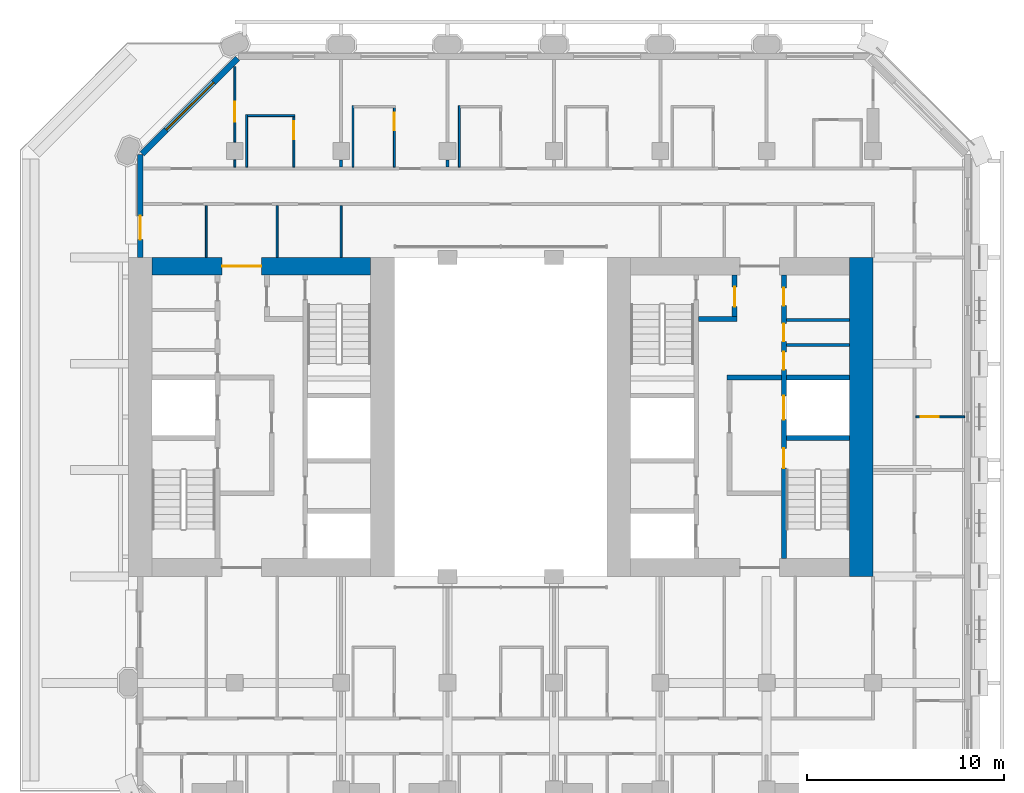
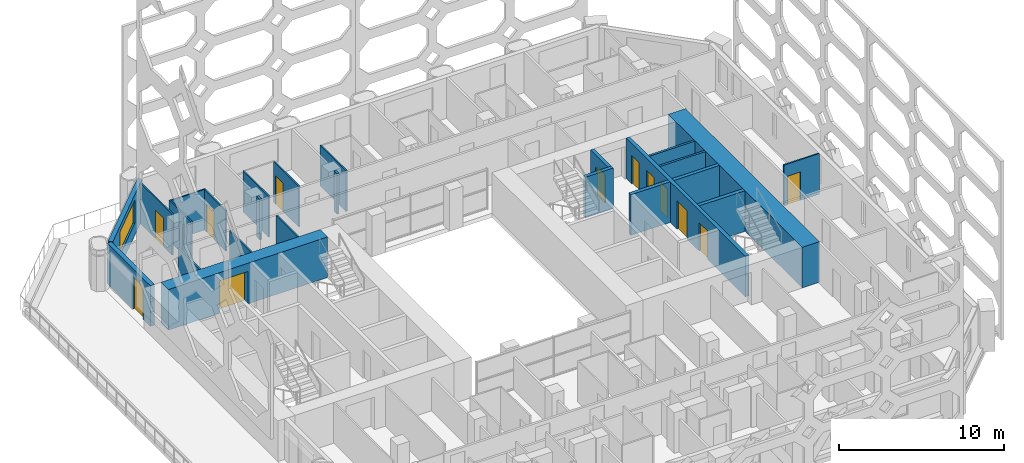
# One storey, part 10 of 16: 26 walls, 12 doors, 1 window, 13 openings.
"""IFC4 building model written with IfcOpenShell, lengths in metres."""

from ifc_helpers import new_model, si_unit, direction, frame, frame_2d, origin, place, context, subcontext, project, spatial, rectangle, extrude, material, layer, layer_set, type_object, element, fill, save


model = new_model("IFC4")

# Units and contexts
model_context = context("Model", 3, precision=1e-05, world=origin(), true_north=direction((0.0, 1.0)))
body_context = subcontext(model_context, "Body", "Model", "MODEL_VIEW")
ifc_project = project(units=[si_unit("LENGTHUNIT", "METRE"), si_unit("AREAUNIT", "SQUARE_METRE"), si_unit("VOLUMEUNIT", "CUBIC_METRE"), si_unit("PLANEANGLEUNIT", "RADIAN"), si_unit("MASSUNIT", "GRAM", prefix="KILO")], contexts=[model_context])

# Site, building, storey
site_placement = place(None, origin())
site = spatial("IfcSite", under=ifc_project, at=site_placement, CompositionType="ELEMENT")
building_placement = place(site_placement, origin())
building = spatial("IfcBuilding", under=site, at=building_placement, Name="Tabaq Tower and Sports Hall", CompositionType="ELEMENT")
storey_placement = place(building_placement, frame((0.0, 0.0, 152.800048828125)))
storey = spatial("IfcBuildingStorey", under=building, at=storey_placement, Name="L35", CompositionType="ELEMENT", Elevation=152.800048828125)

# Walls
ifc_material_1 = material(Name="Blockwork", Category="masonry")
ifc_layer_1 = layer(ifc_material_1, 0.14990234375)
ifc_layer_set_1 = layer_set([ifc_layer_1], Name="Core room partition 150 Blockwork")
wall_type_1 = type_object("IfcWallType", Name="Core room partition 150 Blockwork", PredefinedType="PARTITIONING", material=ifc_layer_set_1)
for number, where, z_axis, x_axis, name in (
    (1, (38.800048828125, 27.947998046875, 0.0), (0.0, 0.0, 1.0), (1.0, 0.0, 0.0), "Core room partition E L35"),
    (2, (38.800048828125, 29.217041015625, 0.0), (0.0, 0.0, 1.0), (1.0, 0.0, 0.0), "Core room partition E L35"),
):
    element("IfcWall", number, at=place(storey_placement, frame(where, z_axis=z_axis, x_axis=x_axis)), inside=storey, type_object=wall_type_1, Name=name, PredefinedType="PARTITIONING", context=body_context, shape_type="SweptSolid", body=[
        extrude(rectangle(XDim=3.199951171875, YDim=0.14990234375, at=frame_2d((1.60009765625, 0.0))), origin(), (0.0, 0.0, 1.0), 3.0),
    ])
ifc_material_2 = material(Name="Concrete C50/60", Category="concrete")
ifc_layer_2 = layer(ifc_material_2, 1.199951171875)
ifc_layer_set_2 = layer_set([ifc_layer_2], Name="Core wall 1200 Concrete C50/60")
wall_type_2 = type_object("IfcWallType", Name="Core wall 1200 Concrete C50/60", PredefinedType="SOLIDWALL", material=ifc_layer_set_2)
wall_1_placement = place(storey_placement, frame((42.60009765625, 32.39990234375, 0.0), z_axis=(0.0, 0.0, 1.0), x_axis=(0.0, -1.0, 0.0)))
element("IfcWall", 3, at=wall_1_placement, inside=storey, type_object=wall_type_2, Name="Core wall E L35", PredefinedType="SOLIDWALL", context=body_context, shape_type="SweptSolid", body=[
    extrude(rectangle(XDim=16.199951171875, YDim=1.199951171875, at=frame_2d((8.10009765625, 0.0))), origin(), (0.0, 0.0, 1.0), 3.0),
])

# Wall, opening, door
ifc_material_3 = material(Name="Concrete C50/60", Category="concrete")
ifc_layer_3 = layer(ifc_material_3, 0.89990234375)
ifc_layer_set_3 = layer_set([ifc_layer_3], Name="Core wall 900 Concrete C50/60")
wall_type_3 = type_object("IfcWallType", Name="Core wall 900 Concrete C50/60", PredefinedType="SOLIDWALL", material=ifc_layer_set_3)
wall_2_placement = place(storey_placement, frame((6.60009765625, 31.949951171875, 0.0), z_axis=(0.0, 0.0, 1.0), x_axis=(1.0, 0.0, 0.0)))
wall_2 = element("IfcWall", 4, at=wall_2_placement, inside=storey, type_object=wall_type_3, Name="Core wall W L35", PredefinedType="SOLIDWALL", context=body_context, shape_type="SweptSolid", body=[
    extrude(rectangle(XDim=11.099853515625, YDim=0.89990234375, at=frame_2d((5.5498046875, 0.0))), origin(), (0.0, 0.0, 1.0), 3.0),
])
opening_1_placement = place(wall_2_placement, frame((3.550048828125, 0.0, 0.0)))
opening_1 = element("IfcOpeningElement", 5, at=opening_1_placement, cuts=wall_2, Name="Opening PD-WL35-02", PredefinedType="OPENING", context=body_context, shape_type="SweptSolid", body=[
    extrude(rectangle(XDim=2.0, YDim=2.39990234375, at=frame_2d((1.0, 1.199951171875))), frame((0.0, 0.449951171875, 0.0), z_axis=(0.0, -1.0, 0.0), x_axis=(1.0, 0.0, 0.0)), (0.0, 0.0, 1.0), 0.89990234375),
])
ifc_material_4 = material(Name="Steel fire door", Category="steel")
door_type_1 = type_object("IfcDoorType", Name="Core entrance door 2000", OperationType="DOUBLE_DOOR_SINGLE_SWING", PredefinedType="DOOR", material=ifc_material_4)
door_1_placement = place(opening_1_placement, origin())
door_1 = element("IfcDoor", 6, at=door_1_placement, inside=storey, type_object=door_type_1, Name="Core entrance north W L35", OperationType="DOUBLE_DOOR_SINGLE_SWING", OverallHeight=2.39990234375, OverallWidth=2.0, PredefinedType="DOOR", context=body_context, shape_type="SweptSolid", body=[
    extrude(rectangle(XDim=2.0, YDim=2.39990234375, at=frame_2d((1.0, 1.199951171875))), frame((0.0, 0.02490234375, 0.0), z_axis=(0.0, -1.0, 0.0), x_axis=(1.0, 0.0, 0.0)), (0.0, 0.0, 1.0), 0.050048828125),
])
fill(opening_1, door_1)

ifc_material_5 = material(Name="Gypsum board on steel studs", Category="steel")
ifc_layer_4 = layer(ifc_material_5, 0.10009765625)
ifc_layer_set_4 = layer_set([ifc_layer_4], Name="Partition 100 Gypsum board")
wall_type_4 = type_object("IfcWallType", Name="Partition 100 Gypsum board", PredefinedType="PARTITIONING", material=ifc_layer_set_4)
wall_3_placement = place(storey_placement, frame((10.800048828125, 42.087890625, 0.0), z_axis=(0.0, 0.0, 1.0), x_axis=(0.0, -1.0, 0.0)))
wall_3 = element("IfcWall", 7, at=wall_3_placement, inside=storey, type_object=wall_type_4, Name="Partition wall L35", PredefinedType="PARTITIONING", context=body_context, shape_type="SweptSolid", body=[
    extrude(rectangle(XDim=3.8427734375, YDim=0.10009765625, at=frame_2d((1.92138671875, 0.0))), origin(), (0.0, 0.0, 1.0), 3.0),
])
opening_2_placement = place(wall_3_placement, frame((1.80029296875, 0.0, 0.0)))
opening_2 = element("IfcOpeningElement", 8, at=opening_2_placement, cuts=wall_3, Name="Opening L35-053", PredefinedType="OPENING", context=body_context, shape_type="SweptSolid", body=[
    extrude(rectangle(XDim=1.0, YDim=2.10009765625, at=frame_2d((0.5, 1.050048828125))), frame((0.0, 0.050048828125, 0.0), z_axis=(0.0, -1.0, 0.0), x_axis=(1.0, 0.0, 0.0)), (0.0, 0.0, 1.0), 0.10009765625),
])
ifc_material_6 = material(Name="Timber leaf in steel frame", Category="steel")
door_type_2 = type_object("IfcDoorType", Name="Internal door 1000 left hand", OperationType="SINGLE_SWING_LEFT", PredefinedType="DOOR", material=ifc_material_6)
door_2_placement = place(opening_2_placement, origin())
door_2 = element("IfcDoor", 9, at=door_2_placement, inside=storey, type_object=door_type_2, Name="Internal door L35-053", OperationType="SINGLE_SWING_LEFT", OverallHeight=2.10009765625, OverallWidth=1.0, PredefinedType="DOOR", context=body_context, shape_type="SweptSolid", body=[
    extrude(rectangle(XDim=1.0, YDim=2.10009765625, at=frame_2d((0.5, 1.050048828125))), frame((0.0, 0.02490234375, 0.0), z_axis=(0.0, -1.0, 0.0), x_axis=(1.0, 0.0, 0.0)), (0.0, 0.0, 1.0), 0.050048828125),
])
fill(opening_2, door_2)

# Walls
wall_4_placement = place(storey_placement, frame((10.800048828125, 37.35498046875, 0.0), z_axis=(0.0, 0.0, 1.0), x_axis=(0.0, -1.0, 0.0)))
element("IfcWall", 10, at=wall_4_placement, inside=storey, type_object=wall_type_4, Name="Partition wall L35", PredefinedType="PARTITIONING", context=body_context, shape_type="SweptSolid", body=[
    extrude(rectangle(XDim=0.3798828125, YDim=0.10009765625, at=frame_2d((0.18994140625, 0.0))), origin(), (0.0, 0.0, 1.0), 3.0),
])
wall_5_placement = place(storey_placement, frame((11.39990234375, 36.97509765625, 0.0), z_axis=(0.0, 0.0, 1.0), x_axis=(0.0, 1.0, 0.0)))
element("IfcWall", 11, at=wall_5_placement, inside=storey, type_object=wall_type_4, Name="Partition wall L35", PredefinedType="PARTITIONING", context=body_context, shape_type="SweptSolid", body=[
    extrude(rectangle(XDim=2.6748046875, YDim=0.10009765625, at=frame_2d((1.33740234375, 0.0))), origin(), (0.0, 0.0, 1.0), 3.0),
])
wall_6_placement = place(storey_placement, frame((11.449951171875, 39.60009765625, 0.0), z_axis=(0.0, 0.0, 1.0), x_axis=(1.0, 0.0, 0.0)))
element("IfcWall", 12, at=wall_6_placement, inside=storey, type_object=wall_type_4, Name="Partition wall L35", PredefinedType="PARTITIONING", context=body_context, shape_type="SweptSolid", body=[
    extrude(rectangle(XDim=2.400146484375, YDim=0.10009765625, at=frame_2d((1.2001953125, 0.0))), origin(), (0.0, 0.0, 1.0), 3.0),
])

# Wall, opening, door
wall_7_placement = place(storey_placement, frame((13.800048828125, 39.550048828125, 0.0), z_axis=(0.0, 0.0, 1.0), x_axis=(0.0, -1.0, 0.0)))
wall_7 = element("IfcWall", 13, at=wall_7_placement, inside=storey, type_object=wall_type_4, Name="Partition wall L35", PredefinedType="PARTITIONING", context=body_context, shape_type="SweptSolid", body=[
    extrude(rectangle(XDim=2.574951171875, YDim=0.10009765625, at=frame_2d((1.28759765625, 0.0))), origin(), (0.0, 0.0, 1.0), 3.0),
])
opening_3_placement = place(wall_7_placement, frame((0.25, 0.0, 0.0)))
opening_3 = element("IfcOpeningElement", 14, at=opening_3_placement, cuts=wall_7, Name="Opening L35-002", PredefinedType="OPENING", context=body_context, shape_type="SweptSolid", body=[
    extrude(rectangle(XDim=0.89990234375, YDim=2.10009765625, at=frame_2d((0.449951171875, 1.050048828125))), frame((0.0, 0.050048828125, 0.0), z_axis=(0.0, -1.0, 0.0), x_axis=(1.0, 0.0, 0.0)), (0.0, 0.0, 1.0), 0.10009765625),
])
ifc_material_7 = material(Name="Timber leaf in steel frame", Category="steel")
door_type_3 = type_object("IfcDoorType", Name="Internal door 900 left hand", OperationType="SINGLE_SWING_LEFT", PredefinedType="DOOR", material=ifc_material_7)
door_3_placement = place(opening_3_placement, origin())
door_3 = element("IfcDoor", 15, at=door_3_placement, inside=storey, type_object=door_type_3, Name="Internal door L35-002", OperationType="SINGLE_SWING_LEFT", OverallHeight=2.10009765625, OverallWidth=0.89990234375, PredefinedType="DOOR", context=body_context, shape_type="SweptSolid", body=[
    extrude(rectangle(XDim=0.89990234375, YDim=2.10009765625, at=frame_2d((0.449951171875, 1.050048828125))), frame((0.0, 0.02490234375, 0.0), z_axis=(0.0, -1.0, 0.0), x_axis=(1.0, 0.0, 0.0)), (0.0, 0.0, 1.0), 0.050048828125),
])
fill(opening_3, door_3)

# Wall
wall_8_placement = place(storey_placement, frame((16.800048828125, 36.97509765625, 0.0), z_axis=(0.0, 0.0, 1.0), x_axis=(0.0, 1.0, 0.0)))
element("IfcWall", 16, at=wall_8_placement, inside=storey, type_object=wall_type_4, Name="Partition wall L35", PredefinedType="PARTITIONING", context=body_context, shape_type="SweptSolid", body=[
    extrude(rectangle(XDim=3.125, YDim=0.10009765625, at=frame_2d((1.5625, 0.0))), origin(), (0.0, 0.0, 1.0), 3.0),
])

# Wall, opening, door
wall_9_placement = place(storey_placement, frame((18.89990234375, 40.0, 0.0), z_axis=(0.0, 0.0, 1.0), x_axis=(0.0, -1.0, 0.0)))
wall_9 = element("IfcWall", 17, at=wall_9_placement, inside=storey, type_object=wall_type_4, Name="Partition wall L35", PredefinedType="PARTITIONING", context=body_context, shape_type="SweptSolid", body=[
    extrude(rectangle(XDim=3.02490234375, YDim=0.10009765625, at=frame_2d((1.512451171875, 0.0))), origin(), (0.0, 0.0, 1.0), 3.0),
])
opening_4_placement = place(wall_9_placement, frame((0.25, 0.0, 0.0)))
opening_4 = element("IfcOpeningElement", 18, at=opening_4_placement, cuts=wall_9, Name="Opening L35-003", PredefinedType="OPENING", context=body_context, shape_type="SweptSolid", body=[
    extrude(rectangle(XDim=0.89990234375, YDim=2.10009765625, at=frame_2d((0.449951171875, 1.050048828125))), frame((0.0, 0.050048828125, 0.0), z_axis=(0.0, -1.0, 0.0), x_axis=(1.0, 0.0, 0.0)), (0.0, 0.0, 1.0), 0.10009765625),
])
door_4_placement = place(opening_4_placement, origin())
door_4 = element("IfcDoor", 19, at=door_4_placement, inside=storey, type_object=door_type_3, Name="Internal door L35-003", OperationType="SINGLE_SWING_LEFT", OverallHeight=2.10009765625, OverallWidth=0.89990234375, PredefinedType="DOOR", context=body_context, shape_type="SweptSolid", body=[
    extrude(rectangle(XDim=0.89990234375, YDim=2.10009765625, at=frame_2d((0.449951171875, 1.050048828125))), frame((0.0, 0.02490234375, 0.0), z_axis=(0.0, -1.0, 0.0), x_axis=(1.0, 0.0, 0.0)), (0.0, 0.0, 1.0), 0.050048828125),
])
fill(opening_4, door_4)

# Walls
wall_10_placement = place(storey_placement, frame((22.199951171875, 36.97509765625, 0.0), z_axis=(0.0, 0.0, 1.0), x_axis=(0.0, 1.0, 0.0)))
element("IfcWall", 20, at=wall_10_placement, inside=storey, type_object=wall_type_4, Name="Partition wall L35", PredefinedType="PARTITIONING", context=body_context, shape_type="SweptSolid", body=[
    extrude(rectangle(XDim=3.125, YDim=0.10009765625, at=frame_2d((1.5625, 0.0))), origin(), (0.0, 0.0, 1.0), 3.0),
])
wall_11_placement = place(storey_placement, frame((16.199951171875, 35.02490234375, 0.0), z_axis=(0.0, 0.0, 1.0), x_axis=(0.0, -1.0, 0.0)))
element("IfcWall", 21, at=wall_11_placement, inside=storey, type_object=wall_type_4, Name="Partition wall L35", PredefinedType="PARTITIONING", context=body_context, shape_type="SweptSolid", body=[
    extrude(rectangle(XDim=2.625, YDim=0.10009765625, at=frame_2d((1.3125, 0.0))), origin(), (0.0, 0.0, 1.0), 3.0),
])

# Wall, opening, door
wall_12_placement = place(storey_placement, frame((45.375, 24.300048828125, 0.0), z_axis=(0.0, 0.0, 1.0), x_axis=(1.0, 0.0, 0.0)))
wall_12 = element("IfcWall", 22, at=wall_12_placement, inside=storey, type_object=wall_type_4, Name="Partition wall L35", PredefinedType="PARTITIONING", context=body_context, shape_type="SweptSolid", body=[
    extrude(rectangle(XDim=2.47412109375, YDim=0.10009765625, at=frame_2d((1.237060546875, 0.0))), origin(), (0.0, 0.0, 1.0), 3.0),
])
opening_5_placement = place(wall_12_placement, frame((0.25, 0.0, 0.0)))
opening_5 = element("IfcOpeningElement", 23, at=opening_5_placement, cuts=wall_12, Name="Opening L35-009", PredefinedType="OPENING", context=body_context, shape_type="SweptSolid", body=[
    extrude(rectangle(XDim=0.89990234375, YDim=2.10009765625, at=frame_2d((0.449951171875, 1.050048828125))), frame((0.0, 0.050048828125, 0.0), z_axis=(0.0, -1.0, 0.0), x_axis=(1.0, 0.0, 0.0)), (0.0, 0.0, 1.0), 0.10009765625),
])
ifc_material_8 = material(Name="Timber leaf in steel frame", Category="steel")
door_type_4 = type_object("IfcDoorType", Name="Internal door 900 right hand", OperationType="SINGLE_SWING_RIGHT", PredefinedType="DOOR", material=ifc_material_8)
door_5_placement = place(opening_5_placement, origin())
door_5 = element("IfcDoor", 24, at=door_5_placement, inside=storey, type_object=door_type_4, Name="Internal door L35-009", OperationType="SINGLE_SWING_RIGHT", OverallHeight=2.10009765625, OverallWidth=0.89990234375, PredefinedType="DOOR", context=body_context, shape_type="SweptSolid", body=[
    extrude(rectangle(XDim=0.89990234375, YDim=2.10009765625, at=frame_2d((0.449951171875, 1.050048828125))), frame((0.0, 0.02490234375, 0.0), z_axis=(0.0, -1.0, 0.0), x_axis=(1.0, 0.0, 0.0)), (0.0, 0.0, 1.0), 0.050048828125),
])
fill(opening_5, door_5)

# Walls
for number, where, z_axis, x_axis, name in (
    (25, (12.949951171875, 32.39990234375, 0.0), (0.0, 0.0, 1.0), (0.0, 1.0, 0.0), "Partition wall L35"),
    (26, (9.35009765625, 35.02490234375, 0.0), (0.0, 0.0, 1.0), (0.0, -1.0, 0.0), "Partition wall L35"),
):
    element("IfcWall", number, at=place(storey_placement, frame(where, z_axis=z_axis, x_axis=x_axis)), inside=storey, type_object=wall_type_4, Name=name, PredefinedType="PARTITIONING", context=body_context, shape_type="SweptSolid", body=[
        extrude(rectangle(XDim=2.625, YDim=0.10009765625, at=frame_2d((1.3125, 0.0))), origin(), (0.0, 0.0, 1.0), 3.0),
    ])
ifc_material_9 = material(Name="Blockwork", Category="masonry")
ifc_layer_5 = layer(ifc_material_9, 0.14990234375)
ifc_layer_set_5 = layer_set([ifc_layer_5], Name="Separating wall 150 Blockwork")
wall_type_5 = type_object("IfcWallType", Name="Separating wall 150 Blockwork", PredefinedType="PARTITIONING", material=ifc_layer_set_5)
for number, where, z_axis, x_axis, name in (
    (27, (16.199951171875, 36.97509765625, 0.0), (0.0, 0.0, 1.0), (0.0, 1.0, 0.0), "Separating wall L35"),
    (28, (21.60009765625, 36.97509765625, 0.0), (0.0, 0.0, 1.0), (0.0, 1.0, 0.0), "Separating wall L35"),
):
    element("IfcWall", number, at=place(storey_placement, frame(where, z_axis=z_axis, x_axis=x_axis)), inside=storey, type_object=wall_type_5, Name=name, PredefinedType="PARTITIONING", context=body_context, shape_type="SweptSolid", body=[
        extrude(rectangle(XDim=0.3798828125, YDim=0.14990234375, at=frame_2d((0.18994140625, 0.0))), origin(), (0.0, 0.0, 1.0), 3.0),
    ])

# Wall, openings, doors
ifc_material_10 = material(Name="Concrete C40/50", Category="concrete")
ifc_layer_6 = layer(ifc_material_10, 0.25)
ifc_layer_set_6 = layer_set([ifc_layer_6], Name="Shaft and stair wall 250 Concrete C40/50")
wall_type_6 = type_object("IfcWallType", Name="Shaft and stair wall 250 Concrete C40/50", PredefinedType="SOLIDWALL", material=ifc_layer_set_6)
wall_13_placement = place(storey_placement, frame((38.675048828125, 17.10009765625, 0.0), z_axis=(0.0, 0.0, 1.0), x_axis=(0.0, 1.0, 0.0)))
wall_13 = element("IfcWall", 29, at=wall_13_placement, inside=storey, type_object=wall_type_6, Name="Shaft wall E L35", PredefinedType="SOLIDWALL", context=body_context, shape_type="SweptSolid", body=[
    extrude(rectangle(XDim=14.39990234375, YDim=0.25, at=frame_2d((7.199951171875, 0.0))), origin(), (0.0, 0.0, 1.0), 3.0),
])
opening_6_placement = place(wall_13_placement, frame((4.60009765625, 0.0, 0.0)))
opening_6 = element("IfcOpeningElement", 30, at=opening_6_placement, cuts=wall_13, Name="Opening SD-EL35-03", PredefinedType="OPENING", context=body_context, shape_type="SweptSolid", body=[
    extrude(rectangle(XDim=1.0, YDim=2.10009765625, at=frame_2d((0.5, 1.050048828125))), frame((0.0, 0.125, 0.0), z_axis=(0.0, -1.0, 0.0), x_axis=(1.0, 0.0, 0.0)), (0.0, 0.0, 1.0), 0.25),
])
opening_7_placement = place(wall_13_placement, frame((7.0625, 0.0, 0.0)))
opening_7 = element("IfcOpeningElement", 31, at=opening_7_placement, cuts=wall_13, Name="Opening LD-FF2-L35", PredefinedType="OPENING", context=body_context, shape_type="SweptSolid", body=[
    extrude(rectangle(XDim=1.199951171875, YDim=2.10009765625, at=frame_2d((0.60009765625, 1.050048828125))), frame((0.0, 0.125, 0.0), z_axis=(0.0, -1.0, 0.0), x_axis=(1.0, 0.0, 0.0)), (0.0, 0.0, 1.0), 0.25),
])
opening_8_placement = place(wall_13_placement, frame((9.59912109375, 0.0, 0.0)))
opening_8 = element("IfcOpeningElement", 32, at=opening_8_placement, cuts=wall_13, Name="Opening RD-EL35-09", PredefinedType="OPENING", context=body_context, shape_type="SweptSolid", body=[
    extrude(rectangle(XDim=0.89990234375, YDim=2.10009765625, at=frame_2d((0.449951171875, 1.050048828125))), frame((0.0, 0.125, 0.0), z_axis=(0.0, -1.0, 0.0), x_axis=(1.0, 0.0, 0.0)), (0.0, 0.0, 1.0), 0.25),
])
opening_9_placement = place(wall_13_placement, frame((11.032470703125, 0.0, 0.0)))
opening_9 = element("IfcOpeningElement", 33, at=opening_9_placement, cuts=wall_13, Name="Opening RD-EL35-10", PredefinedType="OPENING", context=body_context, shape_type="SweptSolid", body=[
    extrude(rectangle(XDim=0.89990234375, YDim=2.10009765625, at=frame_2d((0.449951171875, 1.050048828125))), frame((0.0, 0.125, 0.0), z_axis=(0.0, -1.0, 0.0), x_axis=(1.0, 0.0, 0.0)), (0.0, 0.0, 1.0), 0.25),
])
opening_10_placement = place(wall_13_placement, frame((12.845947265625, 0.0, 0.0)))
opening_10 = element("IfcOpeningElement", 34, at=opening_10_placement, cuts=wall_13, Name="Opening RD-EL35-11", PredefinedType="OPENING", context=body_context, shape_type="SweptSolid", body=[
    extrude(rectangle(XDim=0.89990234375, YDim=2.10009765625, at=frame_2d((0.449951171875, 1.050048828125))), frame((0.0, 0.125, 0.0), z_axis=(0.0, -1.0, 0.0), x_axis=(1.0, 0.0, 0.0)), (0.0, 0.0, 1.0), 0.25),
])
ifc_material_11 = material(Name="Steel fire door", Category="steel")
door_type_5 = type_object("IfcDoorType", Name="Core room door 900", OperationType="SINGLE_SWING_LEFT", PredefinedType="DOOR", material=ifc_material_11)
door_6_placement = place(opening_8_placement, origin())
door_6 = element("IfcDoor", 35, at=door_6_placement, inside=storey, type_object=door_type_5, Name="Door Accessible WC E L35", OperationType="SINGLE_SWING_LEFT", OverallHeight=2.10009765625, OverallWidth=0.89990234375, PredefinedType="DOOR", context=body_context, shape_type="SweptSolid", body=[
    extrude(rectangle(XDim=0.89990234375, YDim=2.10009765625, at=frame_2d((0.449951171875, 1.050048828125))), frame((0.0, 0.02490234375, 0.0), z_axis=(0.0, -1.0, 0.0), x_axis=(1.0, 0.0, 0.0)), (0.0, 0.0, 1.0), 0.050048828125),
])
fill(opening_8, door_6)
door_7_placement = place(opening_9_placement, origin())
door_7 = element("IfcDoor", 36, at=door_7_placement, inside=storey, type_object=door_type_5, Name="Door Electrical Riser Room E L35", OperationType="SINGLE_SWING_LEFT", OverallHeight=2.10009765625, OverallWidth=0.89990234375, PredefinedType="DOOR", context=body_context, shape_type="SweptSolid", body=[
    extrude(rectangle(XDim=0.89990234375, YDim=2.10009765625, at=frame_2d((0.449951171875, 1.050048828125))), frame((0.0, 0.02490234375, 0.0), z_axis=(0.0, -1.0, 0.0), x_axis=(1.0, 0.0, 0.0)), (0.0, 0.0, 1.0), 0.050048828125),
])
fill(opening_9, door_7)
door_8_placement = place(opening_10_placement, origin())
door_8 = element("IfcDoor", 37, at=door_8_placement, inside=storey, type_object=door_type_5, Name="Door Unisex WC E L35", OperationType="SINGLE_SWING_LEFT", OverallHeight=2.10009765625, OverallWidth=0.89990234375, PredefinedType="DOOR", context=body_context, shape_type="SweptSolid", body=[
    extrude(rectangle(XDim=0.89990234375, YDim=2.10009765625, at=frame_2d((0.449951171875, 1.050048828125))), frame((0.0, 0.02490234375, 0.0), z_axis=(0.0, -1.0, 0.0), x_axis=(1.0, 0.0, 0.0)), (0.0, 0.0, 1.0), 0.050048828125),
])
fill(opening_10, door_8)
ifc_material_12 = material(Name="Stainless steel", Category="steel")
door_type_6 = type_object("IfcDoorType", Name="Lift landing door 1200", OperationType="DOUBLE_DOOR_SLIDING", PredefinedType="DOOR", material=ifc_material_12)
door_9_placement = place(opening_7_placement, origin())
door_9 = element("IfcDoor", 38, at=door_9_placement, inside=storey, type_object=door_type_6, Name="Lift landing door FF2 E L35", OperationType="DOUBLE_DOOR_SLIDING", OverallHeight=2.10009765625, OverallWidth=1.199951171875, PredefinedType="DOOR", context=body_context, shape_type="SweptSolid", body=[
    extrude(rectangle(XDim=1.199951171875, YDim=2.10009765625, at=frame_2d((0.60009765625, 1.050048828125))), frame((0.0, 0.02490234375, 0.0), z_axis=(0.0, -1.0, 0.0), x_axis=(1.0, 0.0, 0.0)), (0.0, 0.0, 1.0), 0.050048828125),
])
fill(opening_7, door_9)
ifc_material_13 = material(Name="Steel fire door", Category="steel")
door_type_7 = type_object("IfcDoorType", Name="Stair door 1000", OperationType="SINGLE_SWING_LEFT", PredefinedType="DOOR", material=ifc_material_13)
door_10_placement = place(opening_6_placement, origin())
door_10 = element("IfcDoor", 39, at=door_10_placement, inside=storey, type_object=door_type_7, Name="Stair door ST3 E L35", OperationType="SINGLE_SWING_LEFT", OverallHeight=2.10009765625, OverallWidth=1.0, PredefinedType="DOOR", context=body_context, shape_type="SweptSolid", body=[
    extrude(rectangle(XDim=1.0, YDim=2.10009765625, at=frame_2d((0.5, 1.050048828125))), frame((0.0, 0.02490234375, 0.0), z_axis=(0.0, -1.0, 0.0), x_axis=(1.0, 0.0, 0.0)), (0.0, 0.0, 1.0), 0.050048828125),
])
fill(opening_6, door_10)

# Walls
for number, where, z_axis, x_axis, name in (
    (40, (38.800048828125, 23.22509765625, 0.0), (0.0, 0.0, 1.0), (1.0, 0.0, 0.0), "Stair enclosure wall E L35"),
    (41, (38.800048828125, 26.300048828125, 0.0), (0.0, 0.0, 1.0), (1.0, 0.0, 0.0), "Shaft wall E L35"),
):
    element("IfcWall", number, at=place(storey_placement, frame(where, z_axis=z_axis, x_axis=x_axis)), inside=storey, type_object=wall_type_6, Name=name, PredefinedType="SOLIDWALL", context=body_context, shape_type="SweptSolid", body=[
        extrude(rectangle(XDim=3.199951171875, YDim=0.25, at=frame_2d((1.60009765625, 0.0))), origin(), (0.0, 0.0, 1.0), 3.0),
    ])
wall_14_placement = place(storey_placement, frame((35.800048828125, 26.300048828125, 0.0), z_axis=(0.0, 0.0, 1.0), x_axis=(1.0, 0.0, 0.0)))
element("IfcWall", 42, at=wall_14_placement, inside=storey, type_object=wall_type_6, Name="Fire-fighting lobby wall E L35", PredefinedType="SOLIDWALL", context=body_context, shape_type="SweptSolid", body=[
    extrude(rectangle(XDim=2.75, YDim=0.25, at=frame_2d((1.375, 0.0))), origin(), (0.0, 0.0, 1.0), 3.0),
])

# Wall, opening, door
wall_15_placement = place(storey_placement, frame((36.175048828125, 29.39990234375, 0.0), z_axis=(0.0, 0.0, 1.0), x_axis=(0.0, 1.0, 0.0)))
wall_15 = element("IfcWall", 43, at=wall_15_placement, inside=storey, type_object=wall_type_6, Name="Fire-fighting lobby wall E L35", PredefinedType="SOLIDWALL", context=body_context, shape_type="SweptSolid", body=[
    extrude(rectangle(XDim=2.10009765625, YDim=0.25, at=frame_2d((1.050048828125, 0.0))), origin(), (0.0, 0.0, 1.0), 3.0),
])
opening_11_placement = place(wall_15_placement, frame((0.5, 0.0, 0.0)))
opening_11 = element("IfcOpeningElement", 44, at=opening_11_placement, cuts=wall_15, Name="Opening FD-EL35-06", PredefinedType="OPENING", context=body_context, shape_type="SweptSolid", body=[
    extrude(rectangle(XDim=1.0, YDim=2.10009765625, at=frame_2d((0.5, 1.050048828125))), frame((0.0, 0.125, 0.0), z_axis=(0.0, -1.0, 0.0), x_axis=(1.0, 0.0, 0.0)), (0.0, 0.0, 1.0), 0.25),
])
ifc_material_14 = material(Name="Steel fire door", Category="steel")
door_type_8 = type_object("IfcDoorType", Name="Fire-fighting lobby door 1000", OperationType="SINGLE_SWING_LEFT", PredefinedType="DOOR", material=ifc_material_14)
door_11_placement = place(opening_11_placement, origin())
door_11 = element("IfcDoor", 45, at=door_11_placement, inside=storey, type_object=door_type_8, Name="Stair lobby door E L35", OperationType="SINGLE_SWING_LEFT", OverallHeight=2.10009765625, OverallWidth=1.0, PredefinedType="DOOR", context=body_context, shape_type="SweptSolid", body=[
    extrude(rectangle(XDim=1.0, YDim=2.10009765625, at=frame_2d((0.5, 1.050048828125))), frame((0.0, 0.02490234375, 0.0), z_axis=(0.0, -1.0, 0.0), x_axis=(1.0, 0.0, 0.0)), (0.0, 0.0, 1.0), 0.050048828125),
])
fill(opening_11, door_11)

# Wall
wall_16_placement = place(storey_placement, frame((34.35009765625, 29.27490234375, 0.0), z_axis=(0.0, 0.0, 1.0), x_axis=(1.0, 0.0, 0.0)))
element("IfcWall", 46, at=wall_16_placement, inside=storey, type_object=wall_type_6, Name="Fire-fighting lobby wall E L35", PredefinedType="SOLIDWALL", context=body_context, shape_type="SweptSolid", body=[
    extrude(rectangle(XDim=1.949951171875, YDim=0.25, at=frame_2d((0.97509765625, 0.0))), origin(), (0.0, 0.0, 1.0), 3.0),
])

# Wall, opening, window
ifc_material_15 = material(Name="White precast concrete C60/75", Category="concrete")
ifc_layer_7 = layer(ifc_material_15, 0.300048828125)
ifc_layer_set_7 = layer_set([ifc_layer_7], Name="White precast concrete C60/75 external wall 300")
wall_type_7 = type_object("IfcWallType", Name="White precast concrete C60/75 external wall 300", PredefinedType="SOLIDWALL", material=ifc_layer_set_7)
wall_17_placement = place(storey_placement, frame((10.949462890625, 42.5009765625, 0.0), z_axis=(0.0, 0.0, 1.0), x_axis=(-0.707106781187, -0.707106781187, 0.0)))
wall_17 = element("IfcWall", 47, at=wall_17_placement, inside=storey, type_object=wall_type_7, Name="External Wall L35 NW", PredefinedType="SOLIDWALL", context=body_context, shape_type="SweptSolid", body=[
    extrude(rectangle(XDim=6.85986328125, YDim=0.300048828125, at=frame_2d((3.429931640625, 0.0))), origin(), (0.0, 0.0, 1.0), 3.0),
])
opening_12_placement = place(wall_17_placement, frame((1.729736328125, 0.0, 0.89990234375)))
opening_12 = element("IfcOpeningElement", 48, at=opening_12_placement, cuts=wall_17, Name="Opening W1A", PredefinedType="OPENING", context=body_context, shape_type="SweptSolid", body=[
    extrude(rectangle(XDim=3.39990234375, YDim=1.699951171875, at=frame_2d((1.699951171875, 0.85009765625))), frame((0.0, 0.16015625, 0.0), z_axis=(0.0, -1.0, 0.0), x_axis=(1.0, 0.0, 0.0)), (0.0, 0.0, 1.0), 0.320068359375),
])
ifc_material_16 = material(Name="Aluminium framed clear glazing", Category="aluminium")
window_type = type_object("IfcWindowType", Name="Window W1A", PartitioningType="SINGLE_PANEL", PredefinedType="WINDOW", material=ifc_material_16)
window_placement = place(opening_12_placement, origin())
window = element("IfcWindow", 49, at=window_placement, inside=storey, type_object=window_type, Name="Window W1A L35", OverallHeight=1.699951171875, OverallWidth=3.39990234375, PartitioningType="SINGLE_PANEL", PredefinedType="WINDOW", context=body_context, shape_type="SweptSolid", body=[
    extrude(rectangle(XDim=3.39990234375, YDim=1.699951171875, at=frame_2d((1.699951171875, 0.85009765625))), frame((0.0, 0.030029296875, 0.0), z_axis=(0.0, -1.0, 0.0), x_axis=(1.0, 0.0, 0.0)), (0.0, 0.0, 1.0), 0.06005859375),
])
fill(opening_12, window)

# Wall, opening, door
wall_18_placement = place(storey_placement, frame((6.0, 37.613525390625, 0.0), z_axis=(0.0, 0.0, 1.0), x_axis=(0.0, -1.0, 0.0)))
wall_18 = element("IfcWall", 50, at=wall_18_placement, inside=storey, type_object=wall_type_7, Name="External Wall L35 W", PredefinedType="SOLIDWALL", context=body_context, shape_type="SweptSolid", body=[
    extrude(rectangle(XDim=5.213623046875, YDim=0.300048828125, at=frame_2d((2.60693359375, 0.0))), origin(), (0.0, 0.0, 1.0), 3.0),
])
opening_13_placement = place(wall_18_placement, frame((3.113525390625, 0.0, 0.0)))
opening_13 = element("IfcOpeningElement", 51, at=opening_13_placement, cuts=wall_18, Name="Opening TD3501", PredefinedType="OPENING", context=body_context, shape_type="SweptSolid", body=[
    extrude(rectangle(XDim=1.199951171875, YDim=2.39990234375, at=frame_2d((0.60009765625, 1.199951171875))), frame((0.0, 0.16015625, 0.0), z_axis=(0.0, -1.0, 0.0), x_axis=(1.0, 0.0, 0.0)), (0.0, 0.0, 1.0), 0.320068359375),
])
ifc_material_17 = material(Name="Aluminium framed clear glazing", Category="aluminium")
door_type_9 = type_object("IfcDoorType", Name="Terrace door TD2", OperationType="SINGLE_SWING_LEFT", PredefinedType="DOOR", material=ifc_material_17)
door_12_placement = place(opening_13_placement, origin())
door_12 = element("IfcDoor", 52, at=door_12_placement, inside=storey, type_object=door_type_9, Name="Terrace door TD3501", OperationType="SINGLE_SWING_LEFT", OverallHeight=2.39990234375, OverallWidth=1.199951171875, PredefinedType="DOOR", context=body_context, shape_type="SweptSolid", body=[
    extrude(rectangle(XDim=1.199951171875, YDim=2.39990234375, at=frame_2d((0.60009765625, 1.199951171875))), frame((0.0, 0.02490234375, 0.0), z_axis=(0.0, -1.0, 0.0), x_axis=(1.0, 0.0, 0.0)), (0.0, 0.0, 1.0), 0.050048828125),
])
fill(opening_13, door_12)

save(model, "model.ifc")
